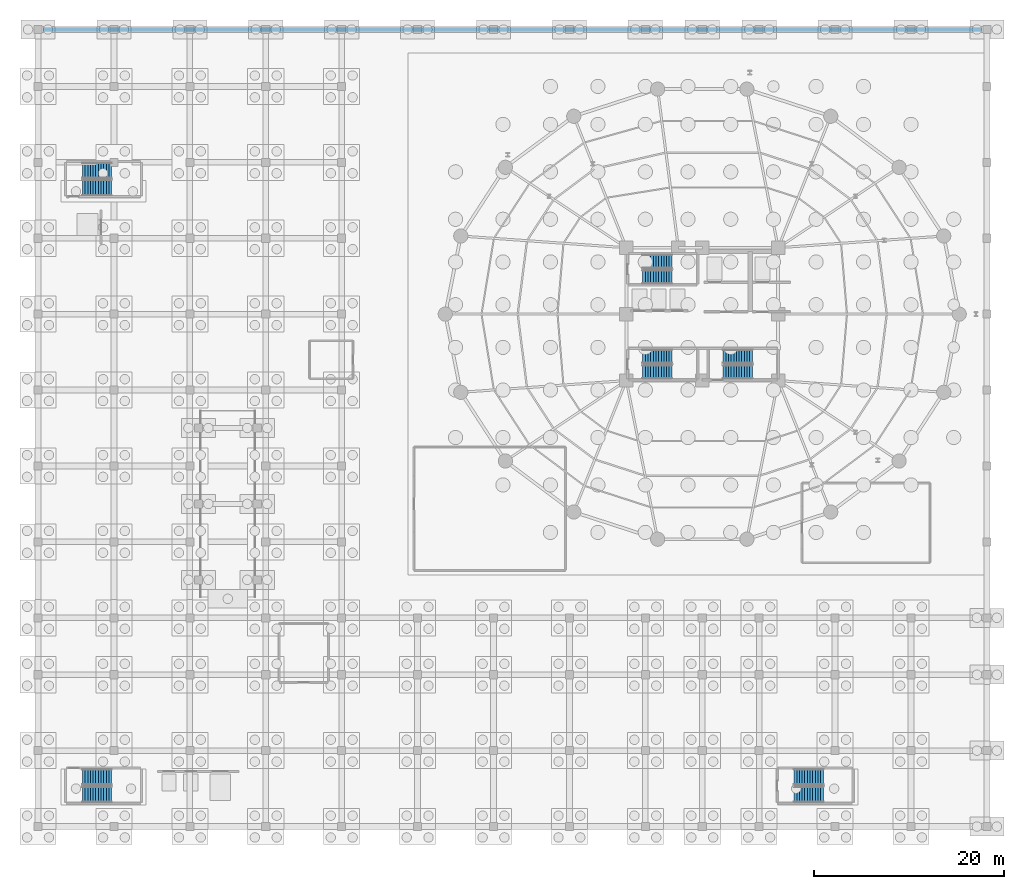
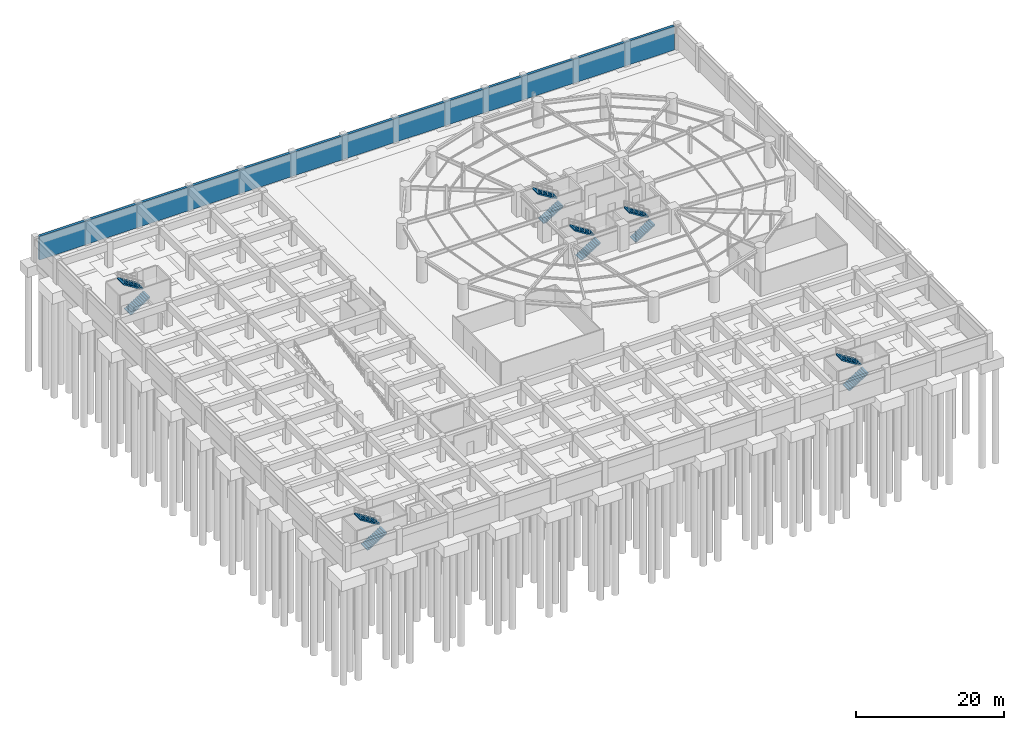
# One storey, part 17 of 23: 12 stair flights, 1 wall, 6 elements without a shape of their own.
"""IFC4 building model written with IfcOpenShell, lengths in metres."""

from ifc_helpers import new_model, si_unit, direction, frame, frame_2d, origin, place, context, subcontext, project, spatial, polyline, rectangle, outline, extrude, material, layer, layer_set, type_object, element, aggregate, save


model = new_model("IFC4")

# Units and contexts
model_context = context("Model", 3, precision=1e-05, world=origin(), true_north=direction((0.0, 1.0)))
body_context = subcontext(model_context, "Body", "Model", "MODEL_VIEW")
ifc_project = project(units=[si_unit("LENGTHUNIT", "METRE"), si_unit("AREAUNIT", "SQUARE_METRE"), si_unit("VOLUMEUNIT", "CUBIC_METRE"), si_unit("PLANEANGLEUNIT", "RADIAN"), si_unit("MASSUNIT", "GRAM", prefix="KILO")], contexts=[model_context])

# Site, building, storey
site_placement = place(None, origin())
site = spatial("IfcSite", under=ifc_project, at=site_placement, CompositionType="ELEMENT")
building_placement = place(site_placement, origin())
building = spatial("IfcBuilding", under=site, at=building_placement, Name="Kelanora Arch Commons", CompositionType="ELEMENT")
storey_placement = place(building_placement, frame((0.0, 0.0, -8.39990234375)))
storey = spatial("IfcBuildingStorey", under=building, at=storey_placement, Name="B02", CompositionType="ELEMENT", Elevation=-8.39990234375)

# Wall
ifc_material_1 = material(Name="Concrete C45/55 waterproofed retaining wall", Category="concrete")
ifc_layer = layer(ifc_material_1, 0.39990234375)
ifc_layer_set = layer_set([ifc_layer], Name="Concrete C45/55 waterproofed retaining wall")
wall_type = type_object("IfcWallType", Name="W-BSMT-RET", PredefinedType="USERDEFINED", material=ifc_layer_set)
wall_placement = place(storey_placement, frame((103.449951171875, 88.0, 0.0), z_axis=(0.0, 0.0, 1.0), x_axis=(-1.0, 0.0, 0.0)))
element("IfcWall", 1, at=wall_placement, inside=storey, type_object=wall_type, Name="Basement Retaining Wall B02-3", ObjectType="RETAININGWALL", PredefinedType="USERDEFINED", context=body_context, shape_type="SweptSolid", body=[
    extrude(rectangle(XDim=98.89990234375, YDim=0.39990234375, at=frame_2d((49.449951171875, 0.0))), origin(), (0.0, 0.0, 1.0), 3.89990234375),
])

# Stair, stair flights
ifc_material_2 = material(Name="Concrete C40/50", Category="concrete")
stair_type = type_object("IfcStairType", Name="STR-DL-420", PredefinedType="HALF_TURN_STAIR", material=ifc_material_2)
stair_1_placement = place(storey_placement, origin())
stair_1 = element("IfcStair", 2, at=stair_1_placement, inside=storey, type_object=stair_type, Name="B02 ST-T1", PredefinedType="HALF_TURN_STAIR")
stair_flight_type = type_object("IfcStairFlightType", Name="FLT-DL-420", PredefinedType="STRAIGHT", material=ifc_material_2)
stair_flight_1_placement = place(storey_placement, frame((67.719970703125, 61.919921875, 0.0), z_axis=(0.0, 0.0, 1.0), x_axis=(1.0, 0.0, 0.0)))
stair_flight_1 = element("IfcStairFlight", 3, at=stair_flight_1_placement, type_object=stair_flight_type, Name="ST-T1 flight 1", NumberOfRisers=12, NumberOfTreads=11, PredefinedType="STRAIGHT", RiserHeight=0.175, TreadLength=0.28, context=body_context, shape_type="SweptSolid", body=[
    extrude(outline(polyline([(0.0, 0.0), (0.0, 0.175048828125), (0.280029296875, 0.175048828125), (0.280029296875, 0.35009765625), (0.56005859375, 0.35009765625), (0.56005859375, 0.52490234375), (0.840087890625, 0.52490234375), (0.840087890625, 0.699951171875), (1.1201171875, 0.699951171875), (1.1201171875, 0.875), (1.39990234375, 0.875), (1.39990234375, 1.050048828125), (1.679931640625, 1.050048828125), (1.679931640625, 1.22509765625), (1.9599609375, 1.22509765625), (1.9599609375, 1.39990234375), (2.239990234375, 1.39990234375), (2.239990234375, 1.574951171875), (2.52001953125, 1.574951171875), (2.52001953125, 1.75), (2.800048828125, 1.75), (2.800048828125, 1.925048828125), (3.080078125, 1.925048828125), (3.080078125, 2.10009765625), (3.080078125, 1.748291015625), (0.28271484375, 0.0), (0.0, 0.0)])), frame((0.0, 0.739990234375, 0.0), z_axis=(0.0, -1.0, 0.0), x_axis=(1.0, 0.0, 0.0)), (0.0, 0.0, 1.0), 1.47998046875),
])
stair_flight_2_placement = place(storey_placement, frame((70.800048828125, 63.550048828125, 2.099853515625), z_axis=(0.0, 0.0, 1.0), x_axis=(-1.0, 0.0, 0.0)))
stair_flight_2 = element("IfcStairFlight", 4, at=stair_flight_2_placement, type_object=stair_flight_type, Name="ST-T1 flight 2", NumberOfRisers=12, NumberOfTreads=11, PredefinedType="STRAIGHT", RiserHeight=0.175, TreadLength=0.28, context=body_context, shape_type="SweptSolid", body=[
    extrude(outline(polyline([(0.0, 0.0), (0.0, 0.175048828125), (0.280029296875, 0.175048828125), (0.280029296875, 0.35009765625), (0.56005859375, 0.35009765625), (0.56005859375, 0.52490234375), (0.840087890625, 0.52490234375), (0.840087890625, 0.699951171875), (1.1201171875, 0.699951171875), (1.1201171875, 0.875), (1.39990234375, 0.875), (1.39990234375, 1.050048828125), (1.679931640625, 1.050048828125), (1.679931640625, 1.22509765625), (1.9599609375, 1.22509765625), (1.9599609375, 1.39990234375), (2.239990234375, 1.39990234375), (2.239990234375, 1.574951171875), (2.52001953125, 1.574951171875), (2.52001953125, 1.75), (2.800048828125, 1.75), (2.800048828125, 1.925048828125), (3.080078125, 1.925048828125), (3.080078125, 2.10009765625), (3.080078125, 1.748291015625), (0.28271484375, 0.0), (0.0, 0.0)])), frame((0.0, 0.739990234375, 0.0), z_axis=(0.0, -1.0, 0.0), x_axis=(1.0, 0.0, 0.0)), (0.0, 0.0, 1.0), 1.47998046875),
])
aggregate(stair_1, [stair_flight_1, stair_flight_2])

stair_2_placement = place(storey_placement, origin())
stair_2 = element("IfcStair", 5, at=stair_2_placement, inside=storey, type_object=stair_type, Name="B02 ST-T2", PredefinedType="HALF_TURN_STAIR")
stair_flight_3_placement = place(storey_placement, frame((76.199951171875, 51.919921875, 0.0), z_axis=(0.0, 0.0, 1.0), x_axis=(1.0, 0.0, 0.0)))
stair_flight_3 = element("IfcStairFlight", 6, at=stair_flight_3_placement, type_object=stair_flight_type, Name="ST-T2 flight 1", NumberOfRisers=12, NumberOfTreads=11, PredefinedType="STRAIGHT", RiserHeight=0.175, TreadLength=0.28, context=body_context, shape_type="SweptSolid", body=[
    extrude(outline(polyline([(0.0, 0.0), (0.0, 0.175048828125), (0.280029296875, 0.175048828125), (0.280029296875, 0.35009765625), (0.56005859375, 0.35009765625), (0.56005859375, 0.52490234375), (0.840087890625, 0.52490234375), (0.840087890625, 0.699951171875), (1.1201171875, 0.699951171875), (1.1201171875, 0.875), (1.39990234375, 0.875), (1.39990234375, 1.050048828125), (1.679931640625, 1.050048828125), (1.679931640625, 1.22509765625), (1.9599609375, 1.22509765625), (1.9599609375, 1.39990234375), (2.239990234375, 1.39990234375), (2.239990234375, 1.574951171875), (2.52001953125, 1.574951171875), (2.52001953125, 1.75), (2.800048828125, 1.75), (2.800048828125, 1.925048828125), (3.080078125, 1.925048828125), (3.080078125, 2.10009765625), (3.080078125, 1.748291015625), (0.28271484375, 0.0), (0.0, 0.0)])), frame((0.0, 0.739990234375, 0.0), z_axis=(0.0, -1.0, 0.0), x_axis=(1.0, 0.0, 0.0)), (0.0, 0.0, 1.0), 1.47998046875),
])
stair_flight_4_placement = place(storey_placement, frame((79.280029296875, 53.550048828125, 2.099853515625), z_axis=(0.0, 0.0, 1.0), x_axis=(-1.0, 0.0, 0.0)))
stair_flight_4 = element("IfcStairFlight", 7, at=stair_flight_4_placement, type_object=stair_flight_type, Name="ST-T2 flight 2", NumberOfRisers=12, NumberOfTreads=11, PredefinedType="STRAIGHT", RiserHeight=0.175, TreadLength=0.28, context=body_context, shape_type="SweptSolid", body=[
    extrude(outline(polyline([(0.0, 0.0), (0.0, 0.175048828125), (0.280029296875, 0.175048828125), (0.280029296875, 0.35009765625), (0.56005859375, 0.35009765625), (0.56005859375, 0.52490234375), (0.840087890625, 0.52490234375), (0.840087890625, 0.699951171875), (1.1201171875, 0.699951171875), (1.1201171875, 0.875), (1.39990234375, 0.875), (1.39990234375, 1.050048828125), (1.679931640625, 1.050048828125), (1.679931640625, 1.22509765625), (1.9599609375, 1.22509765625), (1.9599609375, 1.39990234375), (2.239990234375, 1.39990234375), (2.239990234375, 1.574951171875), (2.52001953125, 1.574951171875), (2.52001953125, 1.75), (2.800048828125, 1.75), (2.800048828125, 1.925048828125), (3.080078125, 1.925048828125), (3.080078125, 2.10009765625), (3.080078125, 1.748291015625), (0.28271484375, 0.0), (0.0, 0.0)])), frame((0.0, 0.739990234375, 0.0), z_axis=(0.0, -1.0, 0.0), x_axis=(1.0, 0.0, 0.0)), (0.0, 0.0, 1.0), 1.47998046875),
])
aggregate(stair_2, [stair_flight_3, stair_flight_4])

stair_3_placement = place(storey_placement, origin())
stair_3 = element("IfcStair", 8, at=stair_3_placement, inside=storey, type_object=stair_type, Name="B02 ST-T3", PredefinedType="HALF_TURN_STAIR")
stair_flight_5_placement = place(storey_placement, frame((67.719970703125, 51.919921875, 0.0), z_axis=(0.0, 0.0, 1.0), x_axis=(1.0, 0.0, 0.0)))
stair_flight_5 = element("IfcStairFlight", 9, at=stair_flight_5_placement, type_object=stair_flight_type, Name="ST-T3 flight 1", NumberOfRisers=12, NumberOfTreads=11, PredefinedType="STRAIGHT", RiserHeight=0.175, TreadLength=0.28, context=body_context, shape_type="SweptSolid", body=[
    extrude(outline(polyline([(0.0, 0.0), (0.0, 0.175048828125), (0.280029296875, 0.175048828125), (0.280029296875, 0.35009765625), (0.56005859375, 0.35009765625), (0.56005859375, 0.52490234375), (0.840087890625, 0.52490234375), (0.840087890625, 0.699951171875), (1.1201171875, 0.699951171875), (1.1201171875, 0.875), (1.39990234375, 0.875), (1.39990234375, 1.050048828125), (1.679931640625, 1.050048828125), (1.679931640625, 1.22509765625), (1.9599609375, 1.22509765625), (1.9599609375, 1.39990234375), (2.239990234375, 1.39990234375), (2.239990234375, 1.574951171875), (2.52001953125, 1.574951171875), (2.52001953125, 1.75), (2.800048828125, 1.75), (2.800048828125, 1.925048828125), (3.080078125, 1.925048828125), (3.080078125, 2.10009765625), (3.080078125, 1.748291015625), (0.28271484375, 0.0), (0.0, 0.0)])), frame((0.0, 0.739990234375, 0.0), z_axis=(0.0, -1.0, 0.0), x_axis=(1.0, 0.0, 0.0)), (0.0, 0.0, 1.0), 1.47998046875),
])
stair_flight_6_placement = place(storey_placement, frame((70.800048828125, 53.550048828125, 2.099853515625), z_axis=(0.0, 0.0, 1.0), x_axis=(-1.0, 0.0, 0.0)))
stair_flight_6 = element("IfcStairFlight", 10, at=stair_flight_6_placement, type_object=stair_flight_type, Name="ST-T3 flight 2", NumberOfRisers=12, NumberOfTreads=11, PredefinedType="STRAIGHT", RiserHeight=0.175, TreadLength=0.28, context=body_context, shape_type="SweptSolid", body=[
    extrude(outline(polyline([(0.0, 0.0), (0.0, 0.175048828125), (0.280029296875, 0.175048828125), (0.280029296875, 0.35009765625), (0.56005859375, 0.35009765625), (0.56005859375, 0.52490234375), (0.840087890625, 0.52490234375), (0.840087890625, 0.699951171875), (1.1201171875, 0.699951171875), (1.1201171875, 0.875), (1.39990234375, 0.875), (1.39990234375, 1.050048828125), (1.679931640625, 1.050048828125), (1.679931640625, 1.22509765625), (1.9599609375, 1.22509765625), (1.9599609375, 1.39990234375), (2.239990234375, 1.39990234375), (2.239990234375, 1.574951171875), (2.52001953125, 1.574951171875), (2.52001953125, 1.75), (2.800048828125, 1.75), (2.800048828125, 1.925048828125), (3.080078125, 1.925048828125), (3.080078125, 2.10009765625), (3.080078125, 1.748291015625), (0.28271484375, 0.0), (0.0, 0.0)])), frame((0.0, 0.739990234375, 0.0), z_axis=(0.0, -1.0, 0.0), x_axis=(1.0, 0.0, 0.0)), (0.0, 0.0, 1.0), 1.47998046875),
])
aggregate(stair_3, [stair_flight_5, stair_flight_6])

stair_4_placement = place(storey_placement, origin())
stair_4 = element("IfcStair", 11, at=stair_4_placement, inside=storey, type_object=stair_type, Name="B02 ST-M1", PredefinedType="HALF_TURN_STAIR")
stair_flight_7_placement = place(storey_placement, frame((8.679931640625, 7.39990234375, 0.0), z_axis=(0.0, 0.0, 1.0), x_axis=(1.0, 0.0, 0.0)))
stair_flight_7 = element("IfcStairFlight", 12, at=stair_flight_7_placement, type_object=stair_flight_type, Name="ST-M1 flight 1", NumberOfRisers=12, NumberOfTreads=11, PredefinedType="STRAIGHT", RiserHeight=0.175, TreadLength=0.28, context=body_context, shape_type="SweptSolid", body=[
    extrude(outline(polyline([(0.0, 0.0), (0.0, 0.175048828125), (0.280029296875, 0.175048828125), (0.280029296875, 0.35009765625), (0.56005859375, 0.35009765625), (0.56005859375, 0.52490234375), (0.840087890625, 0.52490234375), (0.840087890625, 0.699951171875), (1.1201171875, 0.699951171875), (1.1201171875, 0.875), (1.39990234375, 0.875), (1.39990234375, 1.050048828125), (1.679931640625, 1.050048828125), (1.679931640625, 1.22509765625), (1.9599609375, 1.22509765625), (1.9599609375, 1.39990234375), (2.239990234375, 1.39990234375), (2.239990234375, 1.574951171875), (2.52001953125, 1.574951171875), (2.52001953125, 1.75), (2.800048828125, 1.75), (2.800048828125, 1.925048828125), (3.080078125, 1.925048828125), (3.080078125, 2.10009765625), (3.080078125, 1.748291015625), (0.28271484375, 0.0), (0.0, 0.0)])), frame((0.0, 0.83984375, 0.0), z_axis=(0.0, -1.0, 0.0), x_axis=(1.0, 0.0, 0.0)), (0.0, 0.0, 1.0), 1.679931640625),
])
stair_flight_8_placement = place(storey_placement, frame((11.760009765625, 9.22998046875, 2.099853515625), z_axis=(0.0, 0.0, 1.0), x_axis=(-1.0, 0.0, 0.0)))
stair_flight_8 = element("IfcStairFlight", 13, at=stair_flight_8_placement, type_object=stair_flight_type, Name="ST-M1 flight 2", NumberOfRisers=12, NumberOfTreads=11, PredefinedType="STRAIGHT", RiserHeight=0.175, TreadLength=0.28, context=body_context, shape_type="SweptSolid", body=[
    extrude(outline(polyline([(0.0, 0.0), (0.0, 0.175048828125), (0.280029296875, 0.175048828125), (0.280029296875, 0.35009765625), (0.56005859375, 0.35009765625), (0.56005859375, 0.52490234375), (0.840087890625, 0.52490234375), (0.840087890625, 0.699951171875), (1.1201171875, 0.699951171875), (1.1201171875, 0.875), (1.39990234375, 0.875), (1.39990234375, 1.050048828125), (1.679931640625, 1.050048828125), (1.679931640625, 1.22509765625), (1.9599609375, 1.22509765625), (1.9599609375, 1.39990234375), (2.239990234375, 1.39990234375), (2.239990234375, 1.574951171875), (2.52001953125, 1.574951171875), (2.52001953125, 1.75), (2.800048828125, 1.75), (2.800048828125, 1.925048828125), (3.080078125, 1.925048828125), (3.080078125, 2.10009765625), (3.080078125, 1.748291015625), (0.28271484375, 0.0), (0.0, 0.0)])), frame((0.0, 0.83984375, 0.0), z_axis=(0.0, -1.0, 0.0), x_axis=(1.0, 0.0, 0.0)), (0.0, 0.0, 1.0), 1.679931640625),
])
aggregate(stair_4, [stair_flight_7, stair_flight_8])

stair_5_placement = place(storey_placement, origin())
stair_5 = element("IfcStair", 14, at=stair_5_placement, inside=storey, type_object=stair_type, Name="B02 ST-M2", PredefinedType="HALF_TURN_STAIR")
stair_flight_9_placement = place(storey_placement, frame((83.679931640625, 7.39990234375, 0.0), z_axis=(0.0, 0.0, 1.0), x_axis=(1.0, 0.0, 0.0)))
stair_flight_9 = element("IfcStairFlight", 15, at=stair_flight_9_placement, type_object=stair_flight_type, Name="ST-M2 flight 1", NumberOfRisers=12, NumberOfTreads=11, PredefinedType="STRAIGHT", RiserHeight=0.175, TreadLength=0.28, context=body_context, shape_type="SweptSolid", body=[
    extrude(outline(polyline([(0.0, 0.0), (0.0, 0.175048828125), (0.280029296875, 0.175048828125), (0.280029296875, 0.35009765625), (0.56005859375, 0.35009765625), (0.56005859375, 0.52490234375), (0.840087890625, 0.52490234375), (0.840087890625, 0.699951171875), (1.1201171875, 0.699951171875), (1.1201171875, 0.875), (1.39990234375, 0.875), (1.39990234375, 1.050048828125), (1.679931640625, 1.050048828125), (1.679931640625, 1.22509765625), (1.9599609375, 1.22509765625), (1.9599609375, 1.39990234375), (2.239990234375, 1.39990234375), (2.239990234375, 1.574951171875), (2.52001953125, 1.574951171875), (2.52001953125, 1.75), (2.800048828125, 1.75), (2.800048828125, 1.925048828125), (3.080078125, 1.925048828125), (3.080078125, 2.10009765625), (3.080078125, 1.748291015625), (0.28271484375, 0.0), (0.0, 0.0)])), frame((0.0, 0.83984375, 0.0), z_axis=(0.0, -1.0, 0.0), x_axis=(1.0, 0.0, 0.0)), (0.0, 0.0, 1.0), 1.679931640625),
])
stair_flight_10_placement = place(storey_placement, frame((86.760009765625, 9.22998046875, 2.099853515625), z_axis=(0.0, 0.0, 1.0), x_axis=(-1.0, 0.0, 0.0)))
stair_flight_10 = element("IfcStairFlight", 16, at=stair_flight_10_placement, type_object=stair_flight_type, Name="ST-M2 flight 2", NumberOfRisers=12, NumberOfTreads=11, PredefinedType="STRAIGHT", RiserHeight=0.175, TreadLength=0.28, context=body_context, shape_type="SweptSolid", body=[
    extrude(outline(polyline([(0.0, 0.0), (0.0, 0.175048828125), (0.280029296875, 0.175048828125), (0.280029296875, 0.35009765625), (0.56005859375, 0.35009765625), (0.56005859375, 0.52490234375), (0.840087890625, 0.52490234375), (0.840087890625, 0.699951171875), (1.1201171875, 0.699951171875), (1.1201171875, 0.875), (1.39990234375, 0.875), (1.39990234375, 1.050048828125), (1.679931640625, 1.050048828125), (1.679931640625, 1.22509765625), (1.9599609375, 1.22509765625), (1.9599609375, 1.39990234375), (2.239990234375, 1.39990234375), (2.239990234375, 1.574951171875), (2.52001953125, 1.574951171875), (2.52001953125, 1.75), (2.800048828125, 1.75), (2.800048828125, 1.925048828125), (3.080078125, 1.925048828125), (3.080078125, 2.10009765625), (3.080078125, 1.748291015625), (0.28271484375, 0.0), (0.0, 0.0)])), frame((0.0, 0.83984375, 0.0), z_axis=(0.0, -1.0, 0.0), x_axis=(1.0, 0.0, 0.0)), (0.0, 0.0, 1.0), 1.679931640625),
])
aggregate(stair_5, [stair_flight_9, stair_flight_10])

stair_6_placement = place(storey_placement, origin())
stair_6 = element("IfcStair", 17, at=stair_6_placement, inside=storey, type_object=stair_type, Name="B02 ST-M3", PredefinedType="HALF_TURN_STAIR")
stair_flight_11_placement = place(storey_placement, frame((8.679931640625, 71.320068359375, 0.0), z_axis=(0.0, 0.0, 1.0), x_axis=(1.0, 0.0, 0.0)))
stair_flight_11 = element("IfcStairFlight", 18, at=stair_flight_11_placement, type_object=stair_flight_type, Name="ST-M3 flight 1", NumberOfRisers=12, NumberOfTreads=11, PredefinedType="STRAIGHT", RiserHeight=0.175, TreadLength=0.28, context=body_context, shape_type="SweptSolid", body=[
    extrude(outline(polyline([(0.0, 0.0), (0.0, 0.175048828125), (0.280029296875, 0.175048828125), (0.280029296875, 0.35009765625), (0.56005859375, 0.35009765625), (0.56005859375, 0.52490234375), (0.840087890625, 0.52490234375), (0.840087890625, 0.699951171875), (1.1201171875, 0.699951171875), (1.1201171875, 0.875), (1.39990234375, 0.875), (1.39990234375, 1.050048828125), (1.679931640625, 1.050048828125), (1.679931640625, 1.22509765625), (1.9599609375, 1.22509765625), (1.9599609375, 1.39990234375), (2.239990234375, 1.39990234375), (2.239990234375, 1.574951171875), (2.52001953125, 1.574951171875), (2.52001953125, 1.75), (2.800048828125, 1.75), (2.800048828125, 1.925048828125), (3.080078125, 1.925048828125), (3.080078125, 2.10009765625), (3.080078125, 1.748291015625), (0.28271484375, 0.0), (0.0, 0.0)])), frame((0.0, 0.83984375, 0.0), z_axis=(0.0, -1.0, 0.0), x_axis=(1.0, 0.0, 0.0)), (0.0, 0.0, 1.0), 1.679931640625),
])
stair_flight_12_placement = place(storey_placement, frame((11.760009765625, 73.14990234375, 2.099853515625), z_axis=(0.0, 0.0, 1.0), x_axis=(-1.0, 0.0, 0.0)))
stair_flight_12 = element("IfcStairFlight", 19, at=stair_flight_12_placement, type_object=stair_flight_type, Name="ST-M3 flight 2", NumberOfRisers=12, NumberOfTreads=11, PredefinedType="STRAIGHT", RiserHeight=0.175, TreadLength=0.28, context=body_context, shape_type="SweptSolid", body=[
    extrude(outline(polyline([(0.0, 0.0), (0.0, 0.175048828125), (0.280029296875, 0.175048828125), (0.280029296875, 0.35009765625), (0.56005859375, 0.35009765625), (0.56005859375, 0.52490234375), (0.840087890625, 0.52490234375), (0.840087890625, 0.699951171875), (1.1201171875, 0.699951171875), (1.1201171875, 0.875), (1.39990234375, 0.875), (1.39990234375, 1.050048828125), (1.679931640625, 1.050048828125), (1.679931640625, 1.22509765625), (1.9599609375, 1.22509765625), (1.9599609375, 1.39990234375), (2.239990234375, 1.39990234375), (2.239990234375, 1.574951171875), (2.52001953125, 1.574951171875), (2.52001953125, 1.75), (2.800048828125, 1.75), (2.800048828125, 1.925048828125), (3.080078125, 1.925048828125), (3.080078125, 2.10009765625), (3.080078125, 1.748291015625), (0.28271484375, 0.0), (0.0, 0.0)])), frame((0.0, 0.83984375, 0.0), z_axis=(0.0, -1.0, 0.0), x_axis=(1.0, 0.0, 0.0)), (0.0, 0.0, 1.0), 1.679931640625),
])
aggregate(stair_6, [stair_flight_11, stair_flight_12])

save(model, "model.ifc")
